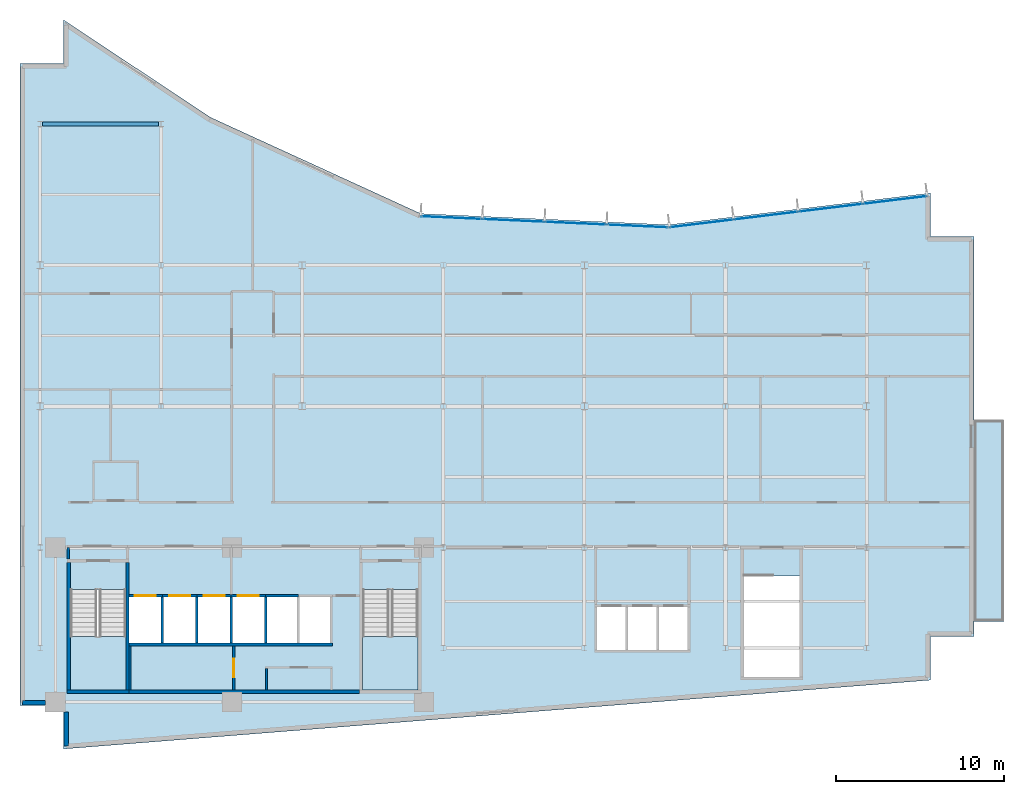
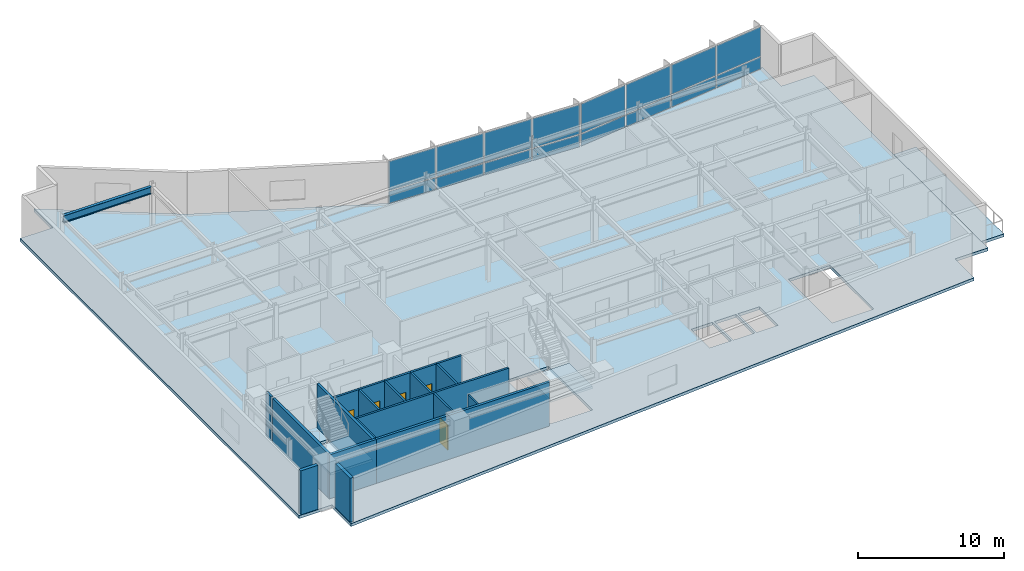
# One storey, part 9 of 16: 20 walls, 16 plates, 5 doors, 4 slabs, 1 beam, 5 openings, 4 elements without a shape of their own.
"""IFC4 building model written with IfcOpenShell, lengths in metres."""

from ifc_helpers import new_model, si_unit, direction, frame, frame_2d, origin, origin_2d, place, context, subcontext, project, spatial, polyline, rectangle, i_section, outline, extrude, material, layer, layer_set, material_profile, profile_set, type_object, element, fill, aggregate, save


model = new_model("IFC4")

# Units and contexts
model_context = context("Model", 3, precision=1e-05, world=origin(), true_north=direction((0.0, 1.0)))
body_context = subcontext(model_context, "Body", "Model", "MODEL_VIEW")
ifc_project = project(units=[si_unit("LENGTHUNIT", "METRE"), si_unit("AREAUNIT", "SQUARE_METRE"), si_unit("VOLUMEUNIT", "CUBIC_METRE"), si_unit("PLANEANGLEUNIT", "RADIAN"), si_unit("MASSUNIT", "GRAM", prefix="KILO")], contexts=[model_context])

# Site, building, storey
site_placement = place(None, origin())
site = spatial("IfcSite", under=ifc_project, at=site_placement, CompositionType="ELEMENT")
building_placement = place(site_placement, origin())
building = spatial("IfcBuilding", under=site, at=building_placement, Name="Varnakote Quay Hospital", CompositionType="ELEMENT")
storey_placement = place(building_placement, frame((0.0, 0.0, 170.5)))
storey = spatial("IfcBuildingStorey", under=building, at=storey_placement, Name="L42", CompositionType="ELEMENT", Elevation=170.5)

# Beam
ifc_material_1 = material(Name="Structural steel AS/NZS 3679.1 Grade 350 L0 (fy 340 MPa)", Category="steel")
ifc_material_profile = material_profile(ifc_material_1, i_section(OverallWidth=0.22802734375, OverallDepth=0.60205078125, WebThickness=0.010498046875, FlangeThickness=0.014892578125, FilletRadius=0.013916015625, at=origin_2d()), Name="610UB101")
ifc_profile_set = profile_set([ifc_material_profile], Name="Structural steel AS/NZS 3679.1 Grade 350 L0 (fy 340 MPa)")
beam_type = type_object("IfcBeamType", Name="BM-STL-610UB101", PredefinedType="BEAM", material=ifc_profile_set)
beam_placement = place(storey_placement, frame((1.353515625, 37.199951171875, 3.368896484375), z_axis=(1.0, 0.0, 0.0), x_axis=(0.0, 1.0, 0.0)))
element("IfcBeam", 1, at=beam_placement, inside=storey, type_object=beam_type, Name="L42 Primary Floor Beam", PredefinedType="BEAM", context=body_context, shape_type="SweptSolid", body=[
    extrude(i_section(OverallWidth=0.22802734375, OverallDepth=0.60205078125, WebThickness=0.010498046875, FlangeThickness=0.014892578125, FilletRadius=0.013916015625, at=origin_2d()), origin(), (0.0, 0.0, 1.0), 6.89306640625),
])

# Curtain wall, plates
ifc_material_2 = material(Name="Anodised aluminium 6063-T6 Bronze", Category="aluminium")
ifc_layer_1 = layer(ifc_material_2, 0.205078125)
ifc_layer_set_1 = layer_set([ifc_layer_1], Name="Anodised aluminium 6063-T6 Bronze")
curtain_wall_type = type_object("IfcCurtainWallType", Name="CW-SYS-3", PredefinedType="NOTDEFINED", material=ifc_layer_set_1)
curtain_wall_1_placement = place(storey_placement, origin())
curtain_wall_1 = element("IfcCurtainWall", 2, at=curtain_wall_1_placement, inside=storey, type_object=curtain_wall_type, Name="L42 Unitised Bronze Curtain Wall 1", PredefinedType="NOTDEFINED")
ifc_material_3 = material(Name="Double-glazed low-E solar glass", Category="glass")
ifc_layer_2 = layer(ifc_material_3, 0.028076171875)
ifc_layer_set_2 = layer_set([ifc_layer_2], Name="Double-glazed low-E solar glass")
plate_type = type_object("IfcPlateType", Name="CW-PNL-GLZ-28", PredefinedType="CURTAIN_PANEL", material=ifc_layer_set_2)
plate_1_placement = place(storey_placement, frame((52.09521484375, 32.68359375, 0.0751953125), z_axis=(0.0, 0.0, 1.0), x_axis=(-0.992734295067, -0.12032713492, 0.0)))
plate_1 = element("IfcPlate", 3, at=plate_1_placement, type_object=plate_type, Name="-3-L42-1 panel 1.1", PredefinedType="CURTAIN_PANEL", context=body_context, shape_type="SweptSolid", body=[
    extrude(rectangle(XDim=3.76806640625, YDim=0.028076171875, at=origin_2d()), origin(), (0.0, 0.0, 1.0), 0.987548828125),
])
plate_2_placement = place(storey_placement, frame((52.09521484375, 32.68359375, 1.137451171875), z_axis=(0.0, 0.0, 1.0), x_axis=(-0.992734295067, -0.12032713492, 0.0)))
plate_2 = element("IfcPlate", 4, at=plate_2_placement, type_object=plate_type, Name="-3-L42-1 panel 1.2", PredefinedType="CURTAIN_PANEL", context=body_context, shape_type="SweptSolid", body=[
    extrude(rectangle(XDim=3.76806640625, YDim=0.028076171875, at=origin_2d()), origin(), (0.0, 0.0, 1.0), 2.45751953125),
])
plate_3_placement = place(storey_placement, frame((48.26123046875, 32.218994140625, 0.0751953125), z_axis=(0.0, 0.0, 1.0), x_axis=(-0.992734295067, -0.12032713492, 0.0)))
plate_3 = element("IfcPlate", 5, at=plate_3_placement, type_object=plate_type, Name="-3-L42-1 panel 2.1", PredefinedType="CURTAIN_PANEL", context=body_context, shape_type="SweptSolid", body=[
    extrude(rectangle(XDim=3.8056640625, YDim=0.028076171875, at=origin_2d()), origin(), (0.0, 0.0, 1.0), 0.987548828125),
])
plate_4_placement = place(storey_placement, frame((48.26123046875, 32.218994140625, 1.137451171875), z_axis=(0.0, 0.0, 1.0), x_axis=(-0.992734295067, -0.12032713492, 0.0)))
plate_4 = element("IfcPlate", 6, at=plate_4_placement, type_object=plate_type, Name="-3-L42-1 panel 2.2", PredefinedType="CURTAIN_PANEL", context=body_context, shape_type="SweptSolid", body=[
    extrude(rectangle(XDim=3.8056640625, YDim=0.028076171875, at=origin_2d()), origin(), (0.0, 0.0, 1.0), 2.45751953125),
])
plate_5_placement = place(storey_placement, frame((44.40869140625, 31.751953125, 0.0751953125), z_axis=(0.0, 0.0, 1.0), x_axis=(-0.992734295067, -0.12032713492, 0.0)))
plate_5 = element("IfcPlate", 7, at=plate_5_placement, type_object=plate_type, Name="-3-L42-1 panel 3.1", PredefinedType="CURTAIN_PANEL", context=body_context, shape_type="SweptSolid", body=[
    extrude(rectangle(XDim=3.8056640625, YDim=0.028076171875, at=origin_2d()), origin(), (0.0, 0.0, 1.0), 0.987548828125),
])
plate_6_placement = place(storey_placement, frame((44.40869140625, 31.751953125, 1.137451171875), z_axis=(0.0, 0.0, 1.0), x_axis=(-0.992734295067, -0.12032713492, 0.0)))
plate_6 = element("IfcPlate", 8, at=plate_6_placement, type_object=plate_type, Name="-3-L42-1 panel 3.2", PredefinedType="CURTAIN_PANEL", context=body_context, shape_type="SweptSolid", body=[
    extrude(rectangle(XDim=3.8056640625, YDim=0.028076171875, at=origin_2d()), origin(), (0.0, 0.0, 1.0), 2.45751953125),
])
plate_7_placement = place(storey_placement, frame((40.574951171875, 31.287353515625, 0.0751953125), z_axis=(0.0, 0.0, 1.0), x_axis=(-0.992734295067, -0.12032713492, 0.0)))
plate_7 = element("IfcPlate", 9, at=plate_7_placement, type_object=plate_type, Name="-3-L42-1 panel 4.1", PredefinedType="CURTAIN_PANEL", context=body_context, shape_type="SweptSolid", body=[
    extrude(rectangle(XDim=3.76806640625, YDim=0.028076171875, at=origin_2d()), origin(), (0.0, 0.0, 1.0), 0.987548828125),
])
plate_8_placement = place(storey_placement, frame((40.574951171875, 31.287353515625, 1.137451171875), z_axis=(0.0, 0.0, 1.0), x_axis=(-0.992734295067, -0.12032713492, 0.0)))
plate_8 = element("IfcPlate", 10, at=plate_8_placement, type_object=plate_type, Name="-3-L42-1 panel 4.2", PredefinedType="CURTAIN_PANEL", context=body_context, shape_type="SweptSolid", body=[
    extrude(rectangle(XDim=3.76806640625, YDim=0.028076171875, at=origin_2d()), origin(), (0.0, 0.0, 1.0), 2.45751953125),
])
aggregate(curtain_wall_1, [plate_1, plate_2, plate_3, plate_4, plate_5, plate_6, plate_7, plate_8])

curtain_wall_2_placement = place(storey_placement, origin())
curtain_wall_2 = element("IfcCurtainWall", 11, at=curtain_wall_2_placement, inside=storey, type_object=curtain_wall_type, Name="L42 Unitised Bronze Curtain Wall 2", PredefinedType="NOTDEFINED")
plate_9_placement = place(storey_placement, frame((36.759765625, 31.135498046875, 0.0751953125), z_axis=(0.0, 0.0, 1.0), x_axis=(-0.998996768014, 0.044782334659, 0.0)))
plate_9 = element("IfcPlate", 12, at=plate_9_placement, type_object=plate_type, Name="-3-L42-2 panel 1.1", PredefinedType="CURTAIN_PANEL", context=body_context, shape_type="SweptSolid", body=[
    extrude(rectangle(XDim=3.59423828125, YDim=0.028076171875, at=origin_2d()), origin(), (0.0, 0.0, 1.0), 0.987548828125),
])
plate_10_placement = place(storey_placement, frame((36.759765625, 31.135498046875, 1.137451171875), z_axis=(0.0, 0.0, 1.0), x_axis=(-0.998996768014, 0.044782334659, 0.0)))
plate_10 = element("IfcPlate", 13, at=plate_10_placement, type_object=plate_type, Name="-3-L42-2 panel 1.2", PredefinedType="CURTAIN_PANEL", context=body_context, shape_type="SweptSolid", body=[
    extrude(rectangle(XDim=3.59423828125, YDim=0.028076171875, at=origin_2d()), origin(), (0.0, 0.0, 1.0), 2.45751953125),
])
plate_11_placement = place(storey_placement, frame((33.075439453125, 31.300537109375, 0.0751953125), z_axis=(0.0, 0.0, 1.0), x_axis=(-0.998996768014, 0.044782334659, 0.0)))
plate_11 = element("IfcPlate", 14, at=plate_11_placement, type_object=plate_type, Name="-3-L42-2 panel 2.1", PredefinedType="CURTAIN_PANEL", context=body_context, shape_type="SweptSolid", body=[
    extrude(rectangle(XDim=3.6318359375, YDim=0.028076171875, at=origin_2d()), origin(), (0.0, 0.0, 1.0), 0.987548828125),
])
plate_12_placement = place(storey_placement, frame((33.075439453125, 31.300537109375, 1.137451171875), z_axis=(0.0, 0.0, 1.0), x_axis=(-0.998996768014, 0.044782334659, 0.0)))
plate_12 = element("IfcPlate", 15, at=plate_12_placement, type_object=plate_type, Name="-3-L42-2 panel 2.2", PredefinedType="CURTAIN_PANEL", context=body_context, shape_type="SweptSolid", body=[
    extrude(rectangle(XDim=3.6318359375, YDim=0.028076171875, at=origin_2d()), origin(), (0.0, 0.0, 1.0), 2.45751953125),
])
plate_13_placement = place(storey_placement, frame((29.372314453125, 31.466552734375, 0.0751953125), z_axis=(0.0, 0.0, 1.0), x_axis=(-0.998996768014, 0.044782334659, 0.0)))
plate_13 = element("IfcPlate", 16, at=plate_13_placement, type_object=plate_type, Name="-3-L42-2 panel 3.1", PredefinedType="CURTAIN_PANEL", context=body_context, shape_type="SweptSolid", body=[
    extrude(rectangle(XDim=3.6318359375, YDim=0.028076171875, at=origin_2d()), origin(), (0.0, 0.0, 1.0), 0.987548828125),
])
plate_14_placement = place(storey_placement, frame((29.372314453125, 31.466552734375, 1.137451171875), z_axis=(0.0, 0.0, 1.0), x_axis=(-0.998996768014, 0.044782334659, 0.0)))
plate_14 = element("IfcPlate", 17, at=plate_14_placement, type_object=plate_type, Name="-3-L42-2 panel 3.2", PredefinedType="CURTAIN_PANEL", context=body_context, shape_type="SweptSolid", body=[
    extrude(rectangle(XDim=3.6318359375, YDim=0.028076171875, at=origin_2d()), origin(), (0.0, 0.0, 1.0), 2.45751953125),
])
plate_15_placement = place(storey_placement, frame((25.68798828125, 31.6318359375, 0.0751953125), z_axis=(0.0, 0.0, 1.0), x_axis=(-0.998996768014, 0.044782334659, 0.0)))
plate_15 = element("IfcPlate", 18, at=plate_15_placement, type_object=plate_type, Name="-3-L42-2 panel 4.1", PredefinedType="CURTAIN_PANEL", context=body_context, shape_type="SweptSolid", body=[
    extrude(rectangle(XDim=3.59423828125, YDim=0.028076171875, at=origin_2d()), origin(), (0.0, 0.0, 1.0), 0.987548828125),
])
plate_16_placement = place(storey_placement, frame((25.68798828125, 31.6318359375, 1.137451171875), z_axis=(0.0, 0.0, 1.0), x_axis=(-0.998996768014, 0.044782334659, 0.0)))
plate_16 = element("IfcPlate", 19, at=plate_16_placement, type_object=plate_type, Name="-3-L42-2 panel 4.2", PredefinedType="CURTAIN_PANEL", context=body_context, shape_type="SweptSolid", body=[
    extrude(rectangle(XDim=3.59423828125, YDim=0.028076171875, at=origin_2d()), origin(), (0.0, 0.0, 1.0), 2.45751953125),
])
aggregate(curtain_wall_2, [plate_9, plate_10, plate_11, plate_12, plate_13, plate_14, plate_15, plate_16])

# Stair, slab
ifc_material_4 = material(Name="Concrete N40 (f'c 40 MPa)", Category="concrete")
stair_type = type_object("IfcStairType", Name="STR-CORE-1580", PredefinedType="HALF_TURN_STAIR", material=ifc_material_4)
stair_1_placement = place(storey_placement, origin())
stair_1 = element("IfcStair", 20, at=stair_1_placement, inside=storey, type_object=stair_type, Name="L42 Fire-Isolated Exit Stair ST-01", PredefinedType="HALF_TURN_STAIR")
ifc_material_5 = material(Name="Concrete N40 (f'c 40 MPa)", Category="concrete")
ifc_layer_3 = layer(ifc_material_5, 0.199951171875)
ifc_layer_set_3 = layer_set([ifc_layer_3], Name="Concrete N40 (f'c 40 MPa)")
slab_type_1 = type_object("IfcSlabType", Name="SLB-STAIR-LND-200", PredefinedType="LANDING", material=ifc_layer_set_3)
slab_1_placement = place(storey_placement, frame((0.0, 0.0, 1.77490234375)))
slab_1 = element("IfcSlab", 21, at=slab_1_placement, type_object=slab_type_1, Name="ST-01 landing 1", PredefinedType="LANDING", context=body_context, shape_type="SweptSolid", body=[
    extrude(outline(polyline([(3.0, 6.699951171875), (3.0, 3.5), (6.300048828125, 3.5), (6.300048828125, 6.699951171875), (3.0, 6.699951171875)])), origin(), (0.0, 0.0, 1.0), 0.2001953125),
])
aggregate(stair_1, [slab_1])

stair_2_placement = place(storey_placement, origin())
stair_2 = element("IfcStair", 22, at=stair_2_placement, inside=storey, type_object=stair_type, Name="L42 Fire-Isolated Exit Stair ST-02", PredefinedType="HALF_TURN_STAIR")
slab_2_placement = place(storey_placement, frame((0.0, 0.0, 1.77490234375)))
slab_2 = element("IfcSlab", 23, at=slab_2_placement, type_object=slab_type_1, Name="ST-02 landing 1", PredefinedType="LANDING", context=body_context, shape_type="SweptSolid", body=[
    extrude(outline(polyline([(20.39990234375, 6.699951171875), (20.39990234375, 3.5), (23.699951171875, 3.5), (23.699951171875, 6.699951171875), (20.39990234375, 6.699951171875)])), origin(), (0.0, 0.0, 1.0), 0.2001953125),
])
aggregate(stair_2, [slab_2])

# Slabs
ifc_material_6 = material(Name="Concrete N50 (f'c 50 MPa)", Category="concrete")
ifc_layer_4 = layer(ifc_material_6, 0.239990234375)
ifc_layer_set_4 = layer_set([ifc_layer_4], Name="Concrete N50 (f'c 50 MPa)")
slab_type_2 = type_object("IfcSlabType", Name="SLB-TERR-200", PredefinedType="FLOOR", material=ifc_layer_set_4)
slab_3_placement = place(storey_placement, frame((0.0, 0.0, -0.239990234375)))
element("IfcSlab", 24, at=slab_3_placement, inside=storey, type_object=slab_type_2, Name="L42 Waterfront Healing Terrace Slab", PredefinedType="FLOOR", context=body_context, shape_type="SweptSolid", body=[
    extrude(outline(polyline([(56.7958984375, 7.60009765625), (58.580078125, 7.60009765625), (58.580078125, 19.60009765625), (56.7958984375, 19.60009765625), (56.7958984375, 7.60009765625)])), origin(), (0.0, 0.0, 1.0), 0.239990234375),
])
ifc_material_7 = material(Name="Concrete N50 (f'c 50 MPa)", Category="concrete")
ifc_layer_5 = layer(ifc_material_7, 0.239990234375)
ifc_layer_set_5 = layer_set([ifc_layer_5], Name="Concrete N50 (f'c 50 MPa)")
slab_type_3 = type_object("IfcSlabType", Name="SLB-WARD-200", PredefinedType="FLOOR", material=ifc_layer_set_5)
slab_4_placement = place(storey_placement, frame((0.0, 0.0, -0.239990234375)))
element("IfcSlab", 25, at=slab_4_placement, inside=storey, type_object=slab_type_3, Name="L42 Primary Floor Slab", PredefinedType="FLOOR", context=body_context, shape_type="SweptSolid", body=[
    extrude(outline(polyline([(0.0, 2.60009765625), (2.60009765625, 2.60009765625), (2.60009765625, 0.0), (54.199951171875, 4.10009765625), (54.199951171875, 6.699951171875), (56.800048828125, 6.699951171875), (56.800048828125, 30.5), (54.199951171875, 30.5), (54.199951171875, 33.10009765625), (38.6240234375, 31.2119140625), (23.85595703125, 31.8740234375), (11.360107421875, 37.595947265625), (2.60009765625, 43.39990234375), (2.60009765625, 40.800048828125), (0.0, 40.800048828125), (0.0, 2.60009765625)]), holes=[polyline([(3.0, 3.5), (6.300048828125, 3.5), (6.300048828125, 9.49951171875), (3.0, 9.49951171875), (3.0, 3.5)]), polyline([(20.39990234375, 3.5), (23.699951171875, 3.5), (23.699951171875, 9.49951171875), (20.39990234375, 9.49951171875), (20.39990234375, 3.5)]), polyline([(43.10009765625, 4.300048828125), (46.39990234375, 4.300048828125), (46.39990234375, 10.29931640625), (43.10009765625, 10.29931640625), (43.10009765625, 4.300048828125)]), polyline([(6.5, 6.300048828125), (8.39990234375, 6.300048828125), (8.39990234375, 9.050048828125), (6.5, 9.050048828125), (6.5, 6.300048828125)]), polyline([(8.550048828125, 6.300048828125), (10.449951171875, 6.300048828125), (10.449951171875, 9.050048828125), (8.550048828125, 9.050048828125), (8.550048828125, 6.300048828125)]), polyline([(10.60009765625, 6.300048828125), (12.5, 6.300048828125), (12.5, 9.050048828125), (10.60009765625, 9.050048828125), (10.60009765625, 6.300048828125)]), polyline([(12.64990234375, 6.300048828125), (14.550048828125, 6.300048828125), (14.550048828125, 9.050048828125), (12.64990234375, 9.050048828125), (12.64990234375, 6.300048828125)]), polyline([(14.699951171875, 6.300048828125), (16.5, 6.300048828125), (16.5, 9.050048828125), (14.699951171875, 9.050048828125), (14.699951171875, 6.300048828125)]), polyline([(16.64990234375, 6.300048828125), (18.449951171875, 6.300048828125), (18.449951171875, 9.050048828125), (16.64990234375, 9.050048828125), (16.64990234375, 6.300048828125)]), polyline([(34.35009765625, 5.89990234375), (36.050048828125, 5.89990234375), (36.050048828125, 8.449951171875), (34.35009765625, 8.449951171875), (34.35009765625, 5.89990234375)]), polyline([(36.199951171875, 5.89990234375), (37.89990234375, 5.89990234375), (37.89990234375, 8.449951171875), (36.199951171875, 8.449951171875), (36.199951171875, 5.89990234375)]), polyline([(38.050048828125, 5.89990234375), (39.75, 5.89990234375), (39.75, 8.449951171875), (38.050048828125, 8.449951171875), (38.050048828125, 5.89990234375)])]), origin(), (0.0, 0.0, 1.0), 0.239990234375),
])

# Walls
ifc_material_8 = material(Name="Fire-rated acoustic gypsum stud wall", Category="gypsum")
ifc_layer_6 = layer(ifc_material_8, 0.159912109375)
ifc_layer_set_6 = layer_set([ifc_layer_6], Name="Fire-rated acoustic gypsum stud wall")
wall_type_1 = type_object("IfcWallType", Name="WL-COMP-160", PredefinedType="PARTITIONING", material=ifc_layer_set_6)
wall_1_placement = place(storey_placement, frame((2.8798828125, 11.300048828125, 0.0), z_axis=(0.0, 0.0, 1.0), x_axis=(0.0, 1.0, 0.0)))
element("IfcWall", 26, at=wall_1_placement, inside=storey, type_object=wall_type_1, Name="L42 West Stair Vestibule West Wall", PredefinedType="PARTITIONING", context=body_context, shape_type="SweptSolid", body=[
    extrude(rectangle(XDim=0.699951171875, YDim=0.159912109375, at=frame_2d((0.35009765625, 0.0))), origin(), (0.0, 0.0, 1.0), 3.669921875),
])
ifc_material_9 = material(Name="Concrete N65 (f'c 65 MPa)", Category="concrete")
ifc_layer_7 = layer(ifc_material_9, 0.199951171875)
ifc_layer_set_7 = layer_set([ifc_layer_7], Name="Concrete N65 (f'c 65 MPa)")
wall_type_2 = type_object("IfcWallType", Name="WL-CORE-N65-200", PredefinedType="SHEAR", material=ifc_layer_set_7)
wall_2_placement = place(storey_placement, frame((6.5, 3.39990234375, 0.0), z_axis=(0.0, 0.0, 1.0), x_axis=(1.0, 0.0, 0.0)))
element("IfcWall", 27, at=wall_2_placement, inside=storey, type_object=wall_type_2, Name="L42 Rear Core South Shear Wall", PredefinedType="SHEAR", context=body_context, shape_type="SweptSolid", body=[
    extrude(rectangle(XDim=13.699951171875, YDim=0.199951171875, at=frame_2d((6.85009765625, 0.0))), origin(), (0.0, 0.0, 1.0), 3.669921875),
])
ifc_material_10 = material(Name="Precast concrete N50 (f'c 50 MPa)", Category="concrete")
ifc_layer_8 = layer(ifc_material_10, 0.260009765625)
ifc_layer_set_8 = layer_set([ifc_layer_8], Name="Precast concrete N50 (f'c 50 MPa)")
wall_type_3 = type_object("IfcWallType", Name="WL-EXT-BRICK-260", PredefinedType="STANDARD", material=ifc_layer_set_8)
wall_3_placement = place(storey_placement, frame((2.760009765625, 2.215087890625, 0.0), z_axis=(0.0, 0.0, 1.0), x_axis=(0.0, -1.0, 0.0)))
element("IfcWall", 28, at=wall_3_placement, inside=storey, type_object=wall_type_3, Name="L42 Brick-Faced Precast Exterior Wall", PredefinedType="STANDARD", context=body_context, shape_type="SweptSolid", body=[
    extrude(rectangle(XDim=2.0419921875, YDim=0.260009765625, at=frame_2d((1.02099609375, 0.0))), origin(), (0.0, 0.0, 1.0), 3.669921875),
])
wall_4_placement = place(storey_placement, frame((0.159912109375, 2.760009765625, 0.0), z_axis=(0.0, 0.0, 1.0), x_axis=(1.0, 0.0, 0.0)))
element("IfcWall", 29, at=wall_4_placement, inside=storey, type_object=wall_type_3, Name="L42 Brick-Faced Precast Exterior Wall", PredefinedType="STANDARD", context=body_context, shape_type="SweptSolid", body=[
    extrude(rectangle(XDim=1.35498046875, YDim=0.260009765625, at=frame_2d((0.677490234375, 0.0))), origin(), (0.0, 0.0, 1.0), 3.669921875),
])
ifc_material_11 = material(Name="Concrete N50 (f'c 50 MPa)", Category="concrete")
ifc_layer_9 = layer(ifc_material_11, 0.14990234375)
ifc_layer_set_9 = layer_set([ifc_layer_9], Name="Concrete N50 (f'c 50 MPa)")
wall_type_4 = type_object("IfcWallType", Name="WL-SHAFT-N50-150", PredefinedType="SHEAR", material=ifc_layer_set_9)
for number, where, z_axis, x_axis, name in (
    (30, (8.47509765625, 6.300048828125, 0.0), (0.0, 0.0, 1.0), (0.0, 1.0, 0.0), "L42 LF-FF1 Hoistway Divider Wall"),
    (31, (10.52490234375, 6.300048828125, 0.0), (0.0, 0.0, 1.0), (0.0, 1.0, 0.0), "L42 LF-FF2 Hoistway Divider Wall"),
    (32, (12.574951171875, 6.300048828125, 0.0), (0.0, 0.0, 1.0), (0.0, 1.0, 0.0), "L42 LF-SV1 Hoistway Divider Wall"),
    (33, (14.625, 6.300048828125, 0.0), (0.0, 0.0, 1.0), (0.0, 1.0, 0.0), "L42 LF-SV2 Hoistway Divider Wall"),
):
    element("IfcWall", number, at=place(storey_placement, frame(where, z_axis=z_axis, x_axis=x_axis)), inside=storey, type_object=wall_type_4, Name=name, PredefinedType="SHEAR", context=body_context, shape_type="SweptSolid", body=[
        extrude(rectangle(XDim=2.75, YDim=0.14990234375, at=frame_2d((1.375, 0.0))), origin(), (0.0, 0.0, 1.0), 3.669921875),
    ])
ifc_material_12 = material(Name="Concrete N50 (f'c 50 MPa)", Category="concrete")
ifc_layer_10 = layer(ifc_material_12, 0.159912109375)
ifc_layer_set_10 = layer_set([ifc_layer_10], Name="Concrete N50 (f'c 50 MPa)")
wall_type_5 = type_object("IfcWallType", Name="WL-SHAFT-N50-160", PredefinedType="SHEAR", material=ifc_layer_set_10)
wall_5_placement = place(storey_placement, frame((6.5, 6.219970703125, 0.0), z_axis=(0.0, 0.0, 1.0), x_axis=(1.0, 0.0, 0.0)))
element("IfcWall", 34, at=wall_5_placement, inside=storey, type_object=wall_type_5, Name="L42 REAR Lift Bank Back Shear Wall", PredefinedType="SHEAR", context=body_context, shape_type="SweptSolid", body=[
    extrude(rectangle(XDim=12.110107421875, YDim=0.159912109375, at=frame_2d((6.05517578125, 0.0))), origin(), (0.0, 0.0, 1.0), 3.669921875),
])

# Wall, opening, door
wall_6_placement = place(storey_placement, frame((6.5, 9.1298828125, 0.0), z_axis=(0.0, 0.0, 1.0), x_axis=(1.0, 0.0, 0.0)))
wall_6 = element("IfcWall", 35, at=wall_6_placement, inside=storey, type_object=wall_type_5, Name="L42 LF-FF1 Hoistway Front Wall", PredefinedType="SHEAR", context=body_context, shape_type="SweptSolid", body=[
    extrude(rectangle(XDim=1.97509765625, YDim=0.159912109375, at=frame_2d((0.987548828125, 0.0))), origin(), (0.0, 0.0, 1.0), 3.669921875),
])
opening_1_placement = place(wall_6_placement, frame((0.324951171875, 0.0, 0.0)))
opening_1 = element("IfcOpeningElement", 36, at=opening_1_placement, cuts=wall_6, Name="Opening LD-FF1-L42", PredefinedType="OPENING", context=body_context, shape_type="SweptSolid", body=[
    extrude(rectangle(XDim=1.25, YDim=2.14990234375, at=frame_2d((0.625, 1.074951171875))), frame((0.0, 0.08984375, 0.0), z_axis=(0.0, -1.0, 0.0), x_axis=(1.0, 0.0, 0.0)), (0.0, 0.0, 1.0), 0.179931640625),
])
ifc_material_13 = material(Name="Stainless steel lift landing sliding door", Category="steel")
door_type_1 = type_object("IfcDoorType", Name="DR-LIFT-LD-1250x2150", OperationType="NOTDEFINED", PredefinedType="DOOR", material=ifc_material_13)
door_1_placement = place(opening_1_placement, origin())
door_1 = element("IfcDoor", 37, at=door_1_placement, inside=storey, type_object=door_type_1, Name="L42 LF-FF1 Lift Landing Sliding Door", OperationType="SLIDING_TO_LEFT", OverallHeight=2.14990234375, OverallWidth=1.25, PredefinedType="DOOR", context=body_context, shape_type="SweptSolid", body=[
    extrude(rectangle(XDim=1.25, YDim=2.14990234375, at=frame_2d((0.625, 1.074951171875))), frame((0.0, 0.02490234375, 0.0), z_axis=(0.0, -1.0, 0.0), x_axis=(1.0, 0.0, 0.0)), (0.0, 0.0, 1.0), 0.050048828125),
])
fill(opening_1, door_1)

wall_7_placement = place(storey_placement, frame((8.47509765625, 9.1298828125, 0.0), z_axis=(0.0, 0.0, 1.0), x_axis=(1.0, 0.0, 0.0)))
wall_7 = element("IfcWall", 38, at=wall_7_placement, inside=storey, type_object=wall_type_5, Name="L42 LF-FF2 Hoistway Front Wall", PredefinedType="SHEAR", context=body_context, shape_type="SweptSolid", body=[
    extrude(rectangle(XDim=2.0498046875, YDim=0.159912109375, at=frame_2d((1.02490234375, 0.0))), origin(), (0.0, 0.0, 1.0), 3.669921875),
])
opening_2_placement = place(wall_7_placement, frame((0.39990234375, 0.0, 0.0)))
opening_2 = element("IfcOpeningElement", 39, at=opening_2_placement, cuts=wall_7, Name="Opening LD-FF2-L42", PredefinedType="OPENING", context=body_context, shape_type="SweptSolid", body=[
    extrude(rectangle(XDim=1.25, YDim=2.14990234375, at=frame_2d((0.625, 1.074951171875))), frame((0.0, 0.08984375, 0.0), z_axis=(0.0, -1.0, 0.0), x_axis=(1.0, 0.0, 0.0)), (0.0, 0.0, 1.0), 0.179931640625),
])
door_2_placement = place(opening_2_placement, origin())
door_2 = element("IfcDoor", 40, at=door_2_placement, inside=storey, type_object=door_type_1, Name="L42 LF-FF2 Lift Landing Sliding Door", OperationType="SLIDING_TO_LEFT", OverallHeight=2.14990234375, OverallWidth=1.25, PredefinedType="DOOR", context=body_context, shape_type="SweptSolid", body=[
    extrude(rectangle(XDim=1.25, YDim=2.14990234375, at=frame_2d((0.625, 1.074951171875))), frame((0.0, 0.02490234375, 0.0), z_axis=(0.0, -1.0, 0.0), x_axis=(1.0, 0.0, 0.0)), (0.0, 0.0, 1.0), 0.050048828125),
])
fill(opening_2, door_2)

wall_8_placement = place(storey_placement, frame((10.52490234375, 9.1298828125, 0.0), z_axis=(0.0, 0.0, 1.0), x_axis=(1.0, 0.0, 0.0)))
wall_8 = element("IfcWall", 41, at=wall_8_placement, inside=storey, type_object=wall_type_5, Name="L42 LF-SV1 Hoistway Front Wall", PredefinedType="SHEAR", context=body_context, shape_type="SweptSolid", body=[
    extrude(rectangle(XDim=2.050048828125, YDim=0.159912109375, at=frame_2d((1.02490234375, 0.0))), origin(), (0.0, 0.0, 1.0), 3.669921875),
])
opening_3_placement = place(wall_8_placement, frame((0.39990234375, 0.0, 0.0)))
opening_3 = element("IfcOpeningElement", 42, at=opening_3_placement, cuts=wall_8, Name="Opening LD-SV1-L42", PredefinedType="OPENING", context=body_context, shape_type="SweptSolid", body=[
    extrude(rectangle(XDim=1.25, YDim=2.14990234375, at=frame_2d((0.625, 1.074951171875))), frame((0.0, 0.08984375, 0.0), z_axis=(0.0, -1.0, 0.0), x_axis=(1.0, 0.0, 0.0)), (0.0, 0.0, 1.0), 0.179931640625),
])
door_3_placement = place(opening_3_placement, origin())
door_3 = element("IfcDoor", 43, at=door_3_placement, inside=storey, type_object=door_type_1, Name="L42 LF-SV1 Lift Landing Sliding Door", OperationType="SLIDING_TO_LEFT", OverallHeight=2.14990234375, OverallWidth=1.25, PredefinedType="DOOR", context=body_context, shape_type="SweptSolid", body=[
    extrude(rectangle(XDim=1.25, YDim=2.14990234375, at=frame_2d((0.625, 1.074951171875))), frame((0.0, 0.02490234375, 0.0), z_axis=(0.0, -1.0, 0.0), x_axis=(1.0, 0.0, 0.0)), (0.0, 0.0, 1.0), 0.050048828125),
])
fill(opening_3, door_3)

wall_9_placement = place(storey_placement, frame((12.574951171875, 9.1298828125, 0.0), z_axis=(0.0, 0.0, 1.0), x_axis=(1.0, 0.0, 0.0)))
wall_9 = element("IfcWall", 44, at=wall_9_placement, inside=storey, type_object=wall_type_5, Name="L42 LF-SV2 Hoistway Front Wall", PredefinedType="SHEAR", context=body_context, shape_type="SweptSolid", body=[
    extrude(rectangle(XDim=2.050048828125, YDim=0.159912109375, at=frame_2d((1.02490234375, 0.0))), origin(), (0.0, 0.0, 1.0), 3.669921875),
])
opening_4_placement = place(wall_9_placement, frame((0.39990234375, 0.0, 0.0)))
opening_4 = element("IfcOpeningElement", 45, at=opening_4_placement, cuts=wall_9, Name="Opening LD-SV2-L42", PredefinedType="OPENING", context=body_context, shape_type="SweptSolid", body=[
    extrude(rectangle(XDim=1.25, YDim=2.14990234375, at=frame_2d((0.625, 1.074951171875))), frame((0.0, 0.08984375, 0.0), z_axis=(0.0, -1.0, 0.0), x_axis=(1.0, 0.0, 0.0)), (0.0, 0.0, 1.0), 0.179931640625),
])
door_4_placement = place(opening_4_placement, origin())
door_4 = element("IfcDoor", 46, at=door_4_placement, inside=storey, type_object=door_type_1, Name="L42 LF-SV2 Lift Landing Sliding Door", OperationType="SLIDING_TO_LEFT", OverallHeight=2.14990234375, OverallWidth=1.25, PredefinedType="DOOR", context=body_context, shape_type="SweptSolid", body=[
    extrude(rectangle(XDim=1.25, YDim=2.14990234375, at=frame_2d((0.625, 1.074951171875))), frame((0.0, 0.02490234375, 0.0), z_axis=(0.0, -1.0, 0.0), x_axis=(1.0, 0.0, 0.0)), (0.0, 0.0, 1.0), 0.050048828125),
])
fill(opening_4, door_4)

# Walls
wall_10_placement = place(storey_placement, frame((14.625, 9.1298828125, 0.0), z_axis=(0.0, 0.0, 1.0), x_axis=(1.0, 0.0, 0.0)))
element("IfcWall", 47, at=wall_10_placement, inside=storey, type_object=wall_type_5, Name="L42 LF-PH1 Hoistway Front Wall", PredefinedType="SHEAR", context=body_context, shape_type="SweptSolid", body=[
    extrude(rectangle(XDim=1.949951171875, YDim=0.159912109375, at=frame_2d((0.97509765625, 0.0))), origin(), (0.0, 0.0, 1.0), 3.669921875),
])
ifc_material_14 = material(Name="Concrete N50 (f'c 50 MPa)", Category="concrete")
ifc_layer_11 = layer(ifc_material_14, 0.199951171875)
ifc_layer_set_11 = layer_set([ifc_layer_11], Name="Concrete N50 (f'c 50 MPa)")
wall_type_6 = type_object("IfcWallType", Name="WL-SHAFT-N50-200", PredefinedType="SHEAR", material=ifc_layer_set_11)
wall_11_placement = place(storey_placement, frame((2.800048828125, 3.39990234375, 0.0), z_axis=(0.0, 0.0, 1.0), x_axis=(1.0, 0.0, 0.0)))
element("IfcWall", 48, at=wall_11_placement, inside=storey, type_object=wall_type_6, Name="L42 Stair ST1 South Shaft Wall", PredefinedType="SHEAR", context=body_context, shape_type="SweptSolid", body=[
    extrude(rectangle(XDim=3.699951171875, YDim=0.199951171875, at=frame_2d((1.85009765625, 0.0))), origin(), (0.0, 0.0, 1.0), 3.669921875),
])
for number, where, z_axis, x_axis, name in (
    (49, (2.89990234375, 3.5, 0.0), (0.0, 0.0, 1.0), (0.0, 1.0, 0.0), "L42 Stair ST1 West Shaft Wall"),
    (50, (6.39990234375, 3.5, 0.0), (0.0, 0.0, 1.0), (0.0, 1.0, 0.0), "L42 Stair ST1 East Shaft Wall"),
):
    element("IfcWall", number, at=place(storey_placement, frame(where, z_axis=z_axis, x_axis=x_axis)), inside=storey, type_object=wall_type_6, Name=name, PredefinedType="SHEAR", context=body_context, shape_type="SweptSolid", body=[
        extrude(rectangle(XDim=7.60009765625, YDim=0.199951171875, at=frame_2d((3.800048828125, 0.0))), origin(), (0.0, 0.0, 1.0), 3.669921875),
    ])
ifc_material_15 = material(Name="Smoke-proof clinical partition", Category="gypsum")
ifc_layer_12 = layer(ifc_material_15, 0.1201171875)
ifc_layer_set_12 = layer_set([ifc_layer_12], Name="Smoke-proof clinical partition")
wall_type_7 = type_object("IfcWallType", Name="WL-SMOKE-120", PredefinedType="PARTITIONING", material=ifc_layer_set_12)
wall_12_placement = place(storey_placement, frame((6.56005859375, 3.52001953125, 0.0), z_axis=(0.0, 0.0, 1.0), x_axis=(0.0, 1.0, 0.0)))
element("IfcWall", 51, at=wall_12_placement, inside=storey, type_object=wall_type_7, Name="L42 Core West Store West Wall", PredefinedType="PARTITIONING", context=body_context, shape_type="SweptSolid", body=[
    extrude(rectangle(XDim=2.619873046875, YDim=0.1201171875, at=frame_2d((1.31005859375, 0.0))), origin(), (0.0, 0.0, 1.0), 3.669921875),
])
wall_13_placement = place(storey_placement, frame((14.669921875, 3.52001953125, 0.0), z_axis=(0.0, 0.0, 1.0), x_axis=(0.0, 1.0, 0.0)))
element("IfcWall", 52, at=wall_13_placement, inside=storey, type_object=wall_type_7, Name="L42 Core WC West Wall", PredefinedType="PARTITIONING", context=body_context, shape_type="SweptSolid", body=[
    extrude(rectangle(XDim=1.260009765625, YDim=0.1201171875, at=frame_2d((0.6298828125, 0.0))), origin(), (0.0, 0.0, 1.0), 3.669921875),
])

# Wall, opening, door
ifc_material_16 = material(Name="Fire-rated clinical gypsum partition", Category="gypsum")
ifc_layer_13 = layer(ifc_material_16, 0.139892578125)
ifc_layer_set_13 = layer_set([ifc_layer_13], Name="Fire-rated clinical gypsum partition")
wall_type_8 = type_object("IfcWallType", Name="WL-WARD-140", PredefinedType="PARTITIONING", material=ifc_layer_set_13)
wall_14_placement = place(storey_placement, frame((12.72998046875, 3.52001953125, 0.0), z_axis=(0.0, 0.0, 1.0), x_axis=(0.0, 1.0, 0.0)))
wall_14 = element("IfcWall", 53, at=wall_14_placement, inside=storey, type_object=wall_type_8, Name="L42 Core Clean Equipment Store East Wall", PredefinedType="PARTITIONING", context=body_context, shape_type="SweptSolid", body=[
    extrude(rectangle(XDim=2.619873046875, YDim=0.139892578125, at=frame_2d((1.31005859375, 0.0))), origin(), (0.0, 0.0, 1.0), 3.669921875),
])
opening_5_placement = place(wall_14_placement, frame((0.760009765625, 0.0, 0.0)))
opening_5 = element("IfcOpeningElement", 54, at=opening_5_placement, cuts=wall_14, Name="Opening D-L42-CR01", PredefinedType="OPENING", context=body_context, shape_type="SweptSolid", body=[
    extrude(rectangle(XDim=1.10009765625, YDim=2.10009765625, at=frame_2d((0.550048828125, 1.050048828125))), frame((0.0, 0.079833984375, 0.0), z_axis=(0.0, -1.0, 0.0), x_axis=(1.0, 0.0, 0.0)), (0.0, 0.0, 1.0), 0.159912109375),
])
ifc_material_17 = material(Name="Acoustic timber clinical consult door", Category="wood")
door_type_2 = type_object("IfcDoorType", Name="DR-CLIN-FD30S-1100x2100", OperationType="NOTDEFINED", PredefinedType="DOOR", material=ifc_material_17)
door_5_placement = place(opening_5_placement, origin())
door_5 = element("IfcDoor", 55, at=door_5_placement, inside=storey, type_object=door_type_2, Name="L42 Core Clean Equipment Store Door", OperationType="SINGLE_SWING_RIGHT", OverallHeight=2.10009765625, OverallWidth=1.10009765625, PredefinedType="DOOR", context=body_context, shape_type="SweptSolid", body=[
    extrude(rectangle(XDim=1.10009765625, YDim=2.10009765625, at=frame_2d((0.550048828125, 1.050048828125))), frame((0.0, 0.02490234375, 0.0), z_axis=(0.0, -1.0, 0.0), x_axis=(1.0, 0.0, 0.0)), (0.0, 0.0, 1.0), 0.050048828125),
])
fill(opening_5, door_5)

save(model, "model.ifc")
